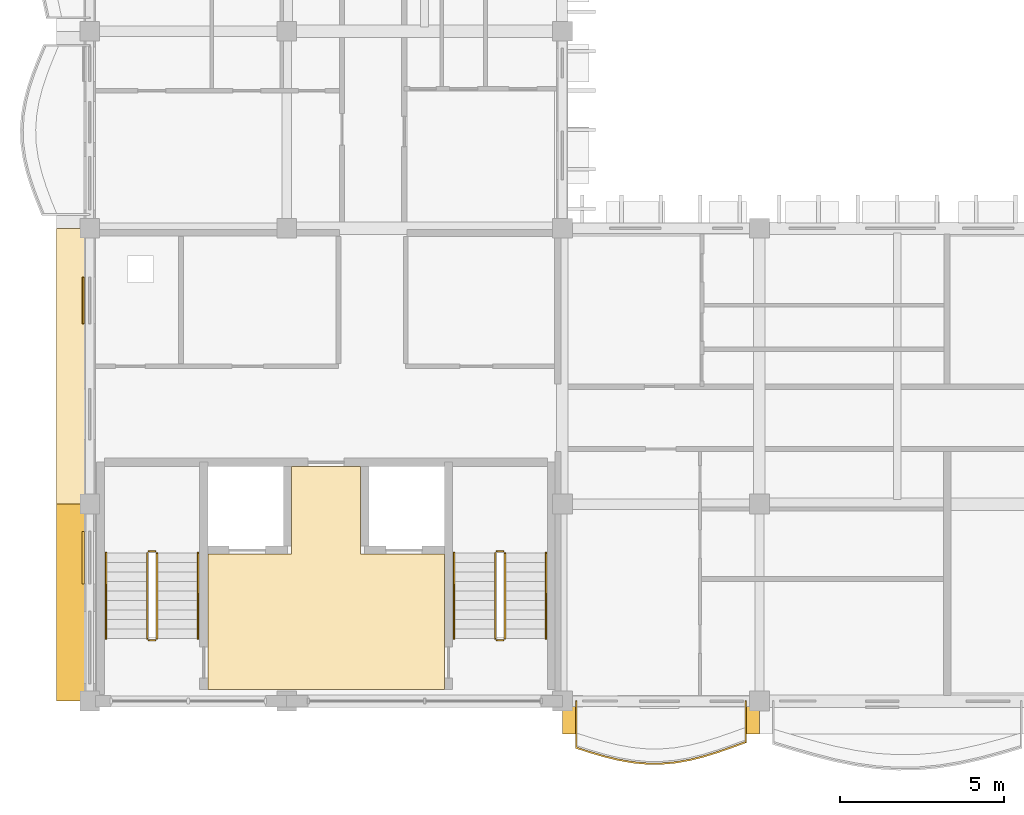
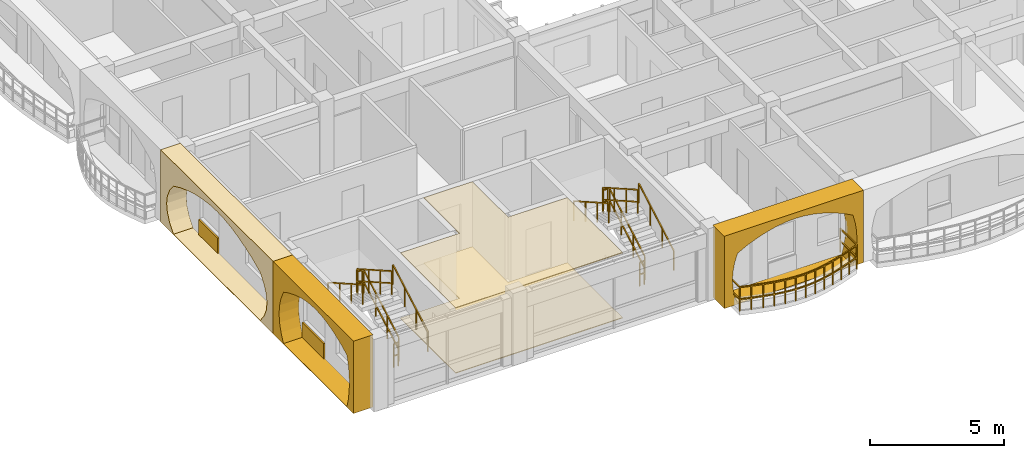
# One storey, part 68 of 101: 13 railings, 7 coverings.
"""IFC4 building model written with IfcOpenShell, lengths in metres."""

from ifc_helpers import new_model, si_unit, direction, frame, origin, origin_2d, place, context, subcontext, project, spatial, polyline, rectangle, outline, extrude, material, layer, layer_set, type_object, element, save


model = new_model("IFC4")

# Units and contexts
model_context = context("Model", 3, precision=1e-05, world=origin(), true_north=direction((0.0, 1.0)))
body_context = subcontext(model_context, "Body", "Model", "MODEL_VIEW")
ifc_project = project(units=[si_unit("LENGTHUNIT", "METRE"), si_unit("AREAUNIT", "SQUARE_METRE"), si_unit("VOLUMEUNIT", "CUBIC_METRE"), si_unit("PLANEANGLEUNIT", "RADIAN"), si_unit("MASSUNIT", "GRAM", prefix="KILO"), si_unit("THERMODYNAMICTEMPERATUREUNIT", "KELVIN")], contexts=[model_context])

# Site, building, storey
site_placement = place(None, origin())
site = spatial("IfcSite", under=ifc_project, at=site_placement, CompositionType="ELEMENT")
building_placement = place(site_placement, origin())
building = spatial("IfcBuilding", under=site, at=building_placement, Name="Thalorik Housing Commons", CompositionType="ELEMENT")
storey_placement = place(building_placement, frame((0.0, 0.0, 8.10009765625)))
storey = spatial("IfcBuildingStorey", under=building, at=storey_placement, Name="L02", CompositionType="ELEMENT", Elevation=8.10009765625)

# Coverings
ifc_material_1 = material(Name="Cobalt blue glazed ceramic facade tile panel", Category="masonry")
ifc_layer_1 = layer(ifc_material_1, 0.06005859375, Name="Cobalt blue glazed ceramic facade tile panel", Category="masonry")
ifc_layer_set_1 = layer_set([ifc_layer_1], Name="Cobalt blue glazed ceramic facade tile panel")
covering_type_1 = type_object("IfcCoveringType", Name="ARC-CLD-BLU-60", PredefinedType="CLADDING", material=ifc_layer_set_1)
covering_1_placement = place(storey_placement, frame((8.205078125, 20.60498046875, 0.0498046875), z_axis=(0.0, 0.0, 1.0), x_axis=(0.0, -1.0, 0.0)))
element("IfcCovering", 1, at=covering_1_placement, inside=storey, type_object=covering_type_1, Name="L02 De Stijl Recessed Window Spandrel 3600", PredefinedType="CLADDING", context=body_context, shape_type="SweptSolid", body=[
    extrude(rectangle(XDim=1.419921875, YDim=0.06005859375, at=origin_2d()), origin(), (0.0, 0.0, 1.0), 0.699951171875),
])
ifc_material_2 = material(Name="Precast concrete C40/50", Category="concrete")
ifc_layer_2 = layer(ifc_material_2, 0.85009765625, Name="Precast concrete C40/50", Category="concrete")
ifc_layer_set_2 = layer_set([ifc_layer_2], Name="Precast concrete C40/50")
covering_type_2 = type_object("IfcCoveringType", Name="ARC-CLD-CUSH-850", PredefinedType="CLADDING", material=ifc_layer_set_2)
covering_2_placement = place(storey_placement, frame((7.81494140625, 18.60009765625, 0.0), z_axis=(0.0, 0.0, 1.0), x_axis=(0.0, -1.0, 0.0)))
element("IfcCovering", 2, at=covering_2_placement, inside=storey, type_object=covering_type_2, Name="L02 White Precast Curved Cushion Bay Frame 3599", PredefinedType="CLADDING", context=body_context, shape_type="SweptSolid", body=[
    extrude(outline(polyline([(-4.199951171875, 0.0), (4.199951171875, 0.0), (4.199951171875, 3.300048828125), (-4.199951171875, 3.300048828125), (-4.199951171875, 0.0)]), holes=[polyline([(3.239990234375, 0.02490234375), (3.523193359375, 0.390869140625), (3.693359375, 0.756591796875), (3.75, 1.12255859375), (3.693359375, 1.48828125), (3.523193359375, 1.854248046875), (3.239990234375, 2.219970703125), (2.699951171875, 2.469482421875), (2.159912109375, 2.66552734375), (1.6201171875, 2.824462890625), (1.080078125, 2.9423828125), (0.5400390625, 3.015380859375), (0.0, 3.0400390625), (-0.5400390625, 3.015380859375), (-1.080078125, 2.9423828125), (-1.6201171875, 2.824462890625), (-2.159912109375, 2.66552734375), (-2.699951171875, 2.469482421875), (-3.239990234375, 2.219970703125), (-3.523193359375, 1.854248046875), (-3.693359375, 1.48828125), (-3.75, 1.12255859375), (-3.693359375, 0.756591796875), (-3.523193359375, 0.390869140625), (-3.239990234375, 0.02490234375), (3.239990234375, 0.02490234375)])]), frame((0.0, 0.425048828125, 0.0), z_axis=(0.0, -1.0, 0.0), x_axis=(1.0, 0.0, 0.0)), (0.0, 0.0, 1.0), 0.85009765625),
])
covering_3_placement = place(storey_placement, frame((7.81494140625, 11.39990234375, 0.0), z_axis=(0.0, 0.0, 1.0), x_axis=(0.0, -1.0, 0.0)))
element("IfcCovering", 3, at=covering_3_placement, inside=storey, type_object=covering_type_2, Name="L02 White Precast Curved Cushion Bay Frame 3601", PredefinedType="CLADDING", context=body_context, shape_type="SweptSolid", body=[
    extrude(outline(polyline([(-3.0, 0.0), (3.0, 0.0), (3.0, 3.300048828125), (-3.0, 3.300048828125), (-3.0, 0.0)]), holes=[polyline([(2.52001953125, 0.02490234375), (2.621337890625, 0.415771484375), (2.68212890625, 0.806640625), (2.702392578125, 1.197509765625), (2.68212890625, 1.58837890625), (2.621337890625, 1.979248046875), (2.52001953125, 2.3701171875), (2.125, 2.573974609375), (1.72998046875, 2.734130859375), (1.3349609375, 2.864013671875), (0.93994140625, 2.960205078125), (0.544921875, 3.02001953125), (0.14990234375, 3.0400390625), (-0.2451171875, 3.02001953125), (-0.639892578125, 2.960205078125), (-1.034912109375, 2.864013671875), (-1.429931640625, 2.734130859375), (-1.824951171875, 2.573974609375), (-2.219970703125, 2.3701171875), (-2.4033203125, 1.979248046875), (-2.51318359375, 1.58837890625), (-2.550048828125, 1.197509765625), (-2.51318359375, 0.806640625), (-2.4033203125, 0.415771484375), (-2.219970703125, 0.02490234375), (2.52001953125, 0.02490234375)])]), frame((0.0, 0.425048828125, 0.0), z_axis=(0.0, -1.0, 0.0), x_axis=(1.0, 0.0, 0.0)), (0.0, 0.0, 1.0), 0.85009765625),
])
covering_4_placement = place(storey_placement, frame((25.800048828125, 7.81494140625, 0.0), z_axis=(0.0, 0.0, 1.0), x_axis=(1.0, 0.0, 0.0)))
element("IfcCovering", 4, at=covering_4_placement, inside=storey, type_object=covering_type_2, Name="L02 White Precast Curved Cushion Bay Frame 3603", PredefinedType="CLADDING", context=body_context, shape_type="SweptSolid", body=[
    extrude(outline(polyline([(-3.0, 0.0), (3.0, 0.0), (3.0, 3.300048828125), (-3.0, 3.300048828125), (-3.0, 0.0)]), holes=[polyline([(2.550048828125, 0.02490234375), (2.64501953125, 0.407470703125), (2.701904296875, 0.7900390625), (2.720947265625, 1.172607421875), (2.701904296875, 1.554931640625), (2.64501953125, 1.9375), (2.550048828125, 2.320068359375), (2.135009765625, 2.539306640625), (1.719970703125, 2.711181640625), (1.304931640625, 2.8505859375), (0.889892578125, 2.954345703125), (0.47509765625, 3.018310546875), (0.06005859375, 3.0400390625), (-0.35498046875, 3.018310546875), (-0.77001953125, 2.954345703125), (-1.18505859375, 2.8505859375), (-1.60009765625, 2.711181640625), (-2.014892578125, 2.539306640625), (-2.429931640625, 2.320068359375), (-2.55029296875, 1.9375), (-2.62255859375, 1.554931640625), (-2.646484375, 1.172607421875), (-2.62255859375, 0.7900390625), (-2.55029296875, 0.407470703125), (-2.429931640625, 0.02490234375), (2.550048828125, 0.02490234375)])]), frame((0.0, 0.425048828125, 0.0), z_axis=(0.0, -1.0, 0.0), x_axis=(1.0, 0.0, 0.0)), (0.0, 0.0, 1.0), 0.85009765625),
])
ifc_material_3 = material(Name="Mineral ochre architectural terracotta panel", Category="masonry")
ifc_layer_3 = layer(ifc_material_3, 0.06494140625, Name="Mineral ochre architectural terracotta panel", Category="masonry")
ifc_layer_set_3 = layer_set([ifc_layer_3], Name="Mineral ochre architectural terracotta panel")
covering_type_3 = type_object("IfcCoveringType", Name="ARC-CLD-YEL-65", PredefinedType="CLADDING", material=ifc_layer_set_3)
covering_5_placement = place(storey_placement, frame((8.202392578125, 12.77001953125, 0.0498046875), z_axis=(0.0, 0.0, 1.0), x_axis=(0.0, -1.0, 0.0)))
element("IfcCovering", 5, at=covering_5_placement, inside=storey, type_object=covering_type_3, Name="L02 De Stijl Recessed Window Spandrel 3602", PredefinedType="CLADDING", context=body_context, shape_type="SweptSolid", body=[
    extrude(rectangle(XDim=1.60009765625, YDim=0.06494140625, at=origin_2d()), origin(), (0.0, 0.0, 1.0), 0.699951171875),
])
ifc_material_4 = material(Name="Acoustic wood-wool nursery ceiling panel", Category="wood")
ifc_layer_4 = layer(ifc_material_4, 0.035888671875, Name="Acoustic wood-wool nursery ceiling panel", Category="wood")
ifc_layer_set_4 = layer_set([ifc_layer_4], Name="Acoustic wood-wool nursery ceiling panel")
covering_type_4 = type_object("IfcCoveringType", Name="ARC-COV-CEIL-06", PredefinedType="CEILING", material=ifc_layer_set_4)
covering_6_placement = place(storey_placement, frame((0.0, 0.0, 2.9638671875)))
element("IfcCovering", 6, at=covering_6_placement, inside=storey, type_object=covering_type_4, Name="L02 Block C Firefighting Lift Lobby Suspended Ceiling", PredefinedType="CEILING", context=body_context, shape_type="SweptSolid", body=[
    extrude(outline(polyline([(12.0, 12.8798828125), (12.0, 8.75), (19.199951171875, 8.75), (19.199951171875, 12.8798828125), (16.64990234375, 12.880126953125), (16.64990234375, 15.550048828125), (14.550048828125, 15.550048828125), (14.550048828125, 12.8798828125), (12.0, 12.8798828125)])), origin(), (0.0, 0.0, 1.0), 0.0361328125),
])
ifc_material_5 = material(Name="Epoxy-sealed concrete plant and bicycle hub finish", Category="concrete")
ifc_layer_5 = layer(ifc_material_5, 0.031982421875, Name="Epoxy-sealed concrete plant and bicycle hub finish", Category="concrete")
ifc_layer_set_5 = layer_set([ifc_layer_5], Name="Epoxy-sealed concrete plant and bicycle hub finish")
covering_type_5 = type_object("IfcCoveringType", Name="ARC-COV-FLR-06", PredefinedType="FLOORING", material=ifc_layer_set_5)
covering_7_placement = place(storey_placement, origin())
element("IfcCovering", 7, at=covering_7_placement, inside=storey, type_object=covering_type_5, Name="L02 Block C Firefighting Lift Lobby Flooring", PredefinedType="FLOORING", context=body_context, shape_type="SweptSolid", body=[
    extrude(outline(polyline([(12.0, 12.8798828125), (12.0, 8.75), (19.199951171875, 8.75), (19.199951171875, 12.8798828125), (16.64990234375, 12.880126953125), (16.64990234375, 15.550048828125), (14.550048828125, 15.550048828125), (14.550048828125, 12.8798828125), (12.0, 12.8798828125)])), origin(), (0.0, 0.0, 1.0), 0.031982421875),
])

# Railings
ifc_material_6 = material(Name="Steel S355", Category="steel")
railing_type_1 = type_object("IfcRailingType", Name="ARC-RL-BAL-112", PredefinedType="BALUSTRADE", material=ifc_material_6)
railing_1_placement = place(storey_placement, frame((23.219970703125, 8.39990234375, 0.0)))
element("IfcRailing", 8, at=railing_1_placement, inside=storey, type_object=railing_type_1, Name="L02 Cushion Balcony Guardrail 256", PredefinedType="BALUSTRADE", context=body_context, shape_type="SweptSolid", body=[
    extrude(rectangle(XDim=0.050048828125, YDim=0.050048828125, at=origin_2d()), frame((0.0, 0.0, 1.09521484375), z_axis=(0.0, -1.0, 0.0), x_axis=(1.0, 0.0, 0.0)), (0.0, 0.0, 1.0), 1.4228515625),
    extrude(rectangle(XDim=0.050048828125, YDim=0.050048828125, at=origin_2d()), frame((0.0, 0.0, 0.53515625), z_axis=(0.0, -1.0, 0.0), x_axis=(1.0, 0.0, 0.0)), (0.0, 0.0, 1.0), 1.4228515625),
    extrude(rectangle(XDim=0.050048828125, YDim=0.050048828125, at=origin_2d()), frame((0.0, -1.4228515625, 1.09521484375), z_axis=(0.95234876715, -0.305011189479, 0.0), x_axis=(0.305011189479, 0.95234876715, 0.0)), (0.0, 0.0, 1.0), 0.451416015625),
    extrude(rectangle(XDim=0.050048828125, YDim=0.050048828125, at=origin_2d()), frame((0.0, -1.4228515625, 0.53515625), z_axis=(0.95234876715, -0.305011189479, 0.0), x_axis=(0.305011189479, 0.95234876715, 0.0)), (0.0, 0.0, 1.0), 0.451416015625),
    extrude(rectangle(XDim=0.050048828125, YDim=0.050048828125, at=origin_2d()), frame((0.429931640625, -1.560546875, 1.09521484375), z_axis=(0.959841216107, -0.280543828771, 0.0), x_axis=(0.280543828771, 0.959841216107, 0.0)), (0.0, 0.0, 1.0), 0.4482421875),
    extrude(rectangle(XDim=0.050048828125, YDim=0.050048828125, at=origin_2d()), frame((0.429931640625, -1.560546875, 0.53515625), z_axis=(0.959841216107, -0.280543828771, 0.0), x_axis=(0.280543828771, 0.959841216107, 0.0)), (0.0, 0.0, 1.0), 0.4482421875),
    extrude(rectangle(XDim=0.050048828125, YDim=0.050048828125, at=origin_2d()), frame((0.860107421875, -1.686279296875, 1.09521484375), z_axis=(0.97171211012, -0.236168531023, 0.0), x_axis=(0.236168531023, 0.97171211012, 0.0)), (0.0, 0.0, 1.0), 0.4423828125),
    extrude(rectangle(XDim=0.050048828125, YDim=0.050048828125, at=origin_2d()), frame((0.860107421875, -1.686279296875, 0.53515625), z_axis=(0.97171211012, -0.236168531023, 0.0), x_axis=(0.236168531023, 0.97171211012, 0.0)), (0.0, 0.0, 1.0), 0.4423828125),
    extrude(rectangle(XDim=0.050048828125, YDim=0.050048828125, at=origin_2d()), frame((1.2900390625, -1.790771484375, 1.09521484375), z_axis=(0.984952013954, -0.17282803652, 0.0), x_axis=(0.17282803652, 0.984952013954, 0.0)), (0.0, 0.0, 1.0), 0.4365234375),
    extrude(rectangle(XDim=0.050048828125, YDim=0.050048828125, at=origin_2d()), frame((1.2900390625, -1.790771484375, 0.53515625), z_axis=(0.984952013954, -0.17282803652, 0.0), x_axis=(0.17282803652, 0.984952013954, 0.0)), (0.0, 0.0, 1.0), 0.4365234375),
    extrude(rectangle(XDim=0.050048828125, YDim=0.050048828125, at=origin_2d()), frame((1.719970703125, -1.8662109375, 1.09521484375), z_axis=(0.995644066759, -0.09323568162, 0.0), x_axis=(0.09323568162, 0.995644066759, 0.0)), (0.0, 0.0, 1.0), 0.43212890625),
    extrude(rectangle(XDim=0.050048828125, YDim=0.050048828125, at=origin_2d()), frame((1.719970703125, -1.8662109375, 0.53515625), z_axis=(0.995644066759, -0.09323568162, 0.0), x_axis=(0.09323568162, 0.995644066759, 0.0)), (0.0, 0.0, 1.0), 0.43212890625),
    extrude(rectangle(XDim=0.050048828125, YDim=0.050048828125, at=origin_2d()), frame((2.150146484375, -1.906494140625, 1.09521484375), z_axis=(0.99998968131, -0.004542826491, 0.0), x_axis=(0.004542826491, 0.99998968131, 0.0)), (0.0, 0.0, 1.0), 0.429931640625),
    extrude(rectangle(XDim=0.050048828125, YDim=0.050048828125, at=origin_2d()), frame((2.150146484375, -1.906494140625, 0.53515625), z_axis=(0.99998968131, -0.004542826491, 0.0), x_axis=(0.004542826491, 0.99998968131, 0.0)), (0.0, 0.0, 1.0), 0.429931640625),
    extrude(rectangle(XDim=0.050048828125, YDim=0.050048828125, at=origin_2d()), frame((2.580078125, -1.908447265625, 1.09521484375), z_axis=(0.996295581648, 0.085994848615, 0.0), x_axis=(-0.085994848615, 0.996295581648, 0.0)), (0.0, 0.0, 1.0), 0.431640625),
    extrude(rectangle(XDim=0.050048828125, YDim=0.050048828125, at=origin_2d()), frame((2.580078125, -1.908447265625, 0.53515625), z_axis=(0.996295581648, 0.085994848615, 0.0), x_axis=(-0.085994848615, 0.996295581648, 0.0)), (0.0, 0.0, 1.0), 0.431640625),
    extrude(rectangle(XDim=0.050048828125, YDim=0.050048828125, at=origin_2d()), frame((3.010009765625, -1.871337890625, 1.09521484375), z_axis=(0.985330609253, 0.170656351972, 0.0), x_axis=(-0.170656351972, 0.985330609253, 0.0)), (0.0, 0.0, 1.0), 0.436279296875),
    extrude(rectangle(XDim=0.050048828125, YDim=0.050048828125, at=origin_2d()), frame((3.010009765625, -1.871337890625, 0.53515625), z_axis=(0.985330609253, 0.170656351972, 0.0), x_axis=(-0.170656351972, 0.985330609253, 0.0)), (0.0, 0.0, 1.0), 0.436279296875),
    extrude(rectangle(XDim=0.050048828125, YDim=0.050048828125, at=origin_2d()), frame((3.43994140625, -1.796875, 1.09521484375), z_axis=(0.970465619887, 0.241239467372, 0.0), x_axis=(-0.241239467372, 0.970465619887, 0.0)), (0.0, 0.0, 1.0), 0.443359375),
    extrude(rectangle(XDim=0.050048828125, YDim=0.050048828125, at=origin_2d()), frame((3.43994140625, -1.796875, 0.53515625), z_axis=(0.970465619887, 0.241239467372, 0.0), x_axis=(-0.241239467372, 0.970465619887, 0.0)), (0.0, 0.0, 1.0), 0.443359375),
    extrude(rectangle(XDim=0.050048828125, YDim=0.050048828125, at=origin_2d()), frame((3.8701171875, -1.68994140625, 1.09521484375), z_axis=(0.955755536076, 0.294162124108, 0.0), x_axis=(-0.294162124108, 0.955755536076, 0.0)), (0.0, 0.0, 1.0), 0.449951171875),
    extrude(rectangle(XDim=0.050048828125, YDim=0.050048828125, at=origin_2d()), frame((3.8701171875, -1.68994140625, 0.53515625), z_axis=(0.955755536076, 0.294162124108, 0.0), x_axis=(-0.294162124108, 0.955755536076, 0.0)), (0.0, 0.0, 1.0), 0.449951171875),
    extrude(rectangle(XDim=0.050048828125, YDim=0.050048828125, at=origin_2d()), frame((4.300048828125, -1.5576171875, 1.09521484375), z_axis=(0.944583599267, 0.328270961244, 0.0), x_axis=(-0.328270961244, 0.944583599267, 0.0)), (0.0, 0.0, 1.0), 0.455078125),
    extrude(rectangle(XDim=0.050048828125, YDim=0.050048828125, at=origin_2d()), frame((4.300048828125, -1.5576171875, 0.53515625), z_axis=(0.944583599267, 0.328270961244, 0.0), x_axis=(-0.328270961244, 0.944583599267, 0.0)), (0.0, 0.0, 1.0), 0.455078125),
    extrude(rectangle(XDim=0.050048828125, YDim=0.050048828125, at=origin_2d()), frame((4.72998046875, -1.408203125, 1.09521484375), z_axis=(0.940198058988, 0.3406282576, 0.0), x_axis=(-0.3406282576, 0.940198058988, 0.0)), (0.0, 0.0, 1.0), 0.457275390625),
    extrude(rectangle(XDim=0.050048828125, YDim=0.050048828125, at=origin_2d()), frame((4.72998046875, -1.408203125, 0.53515625), z_axis=(0.940198058988, 0.3406282576, 0.0), x_axis=(-0.3406282576, 0.940198058988, 0.0)), (0.0, 0.0, 1.0), 0.457275390625),
    extrude(rectangle(XDim=0.050048828125, YDim=0.050048828125, at=origin_2d()), frame((5.159912109375, -1.25244140625, 1.09521484375), z_axis=(0.0, 1.0, 0.0), x_axis=(-1.0, 0.0, 0.0)), (0.0, 0.0, 1.0), 1.25244140625),
    extrude(rectangle(XDim=0.050048828125, YDim=0.050048828125, at=origin_2d()), frame((5.159912109375, -1.25244140625, 0.53515625), z_axis=(0.0, 1.0, 0.0), x_axis=(-1.0, 0.0, 0.0)), (0.0, 0.0, 1.0), 1.25244140625),
    extrude(rectangle(XDim=0.0419921875, YDim=0.0419921875, at=origin_2d()), origin(), (0.0, 0.0, 1.0), 1.070068359375),
    extrude(rectangle(XDim=0.0419921875, YDim=0.0419921875, at=origin_2d()), frame((0.0, -1.4228515625, 0.0)), (0.0, 0.0, 1.0), 1.070068359375),
    extrude(rectangle(XDim=0.0419921875, YDim=0.0419921875, at=origin_2d()), frame((0.429931640625, -1.560546875, 0.0)), (0.0, 0.0, 1.0), 1.070068359375),
    extrude(rectangle(XDim=0.0419921875, YDim=0.0419921875, at=origin_2d()), frame((0.860107421875, -1.686279296875, 0.0)), (0.0, 0.0, 1.0), 1.070068359375),
    extrude(rectangle(XDim=0.0419921875, YDim=0.0419921875, at=origin_2d()), frame((1.2900390625, -1.790771484375, 0.0)), (0.0, 0.0, 1.0), 1.070068359375),
    extrude(rectangle(XDim=0.0419921875, YDim=0.0419921875, at=origin_2d()), frame((1.719970703125, -1.8662109375, 0.0)), (0.0, 0.0, 1.0), 1.070068359375),
    extrude(rectangle(XDim=0.0419921875, YDim=0.0419921875, at=origin_2d()), frame((2.150146484375, -1.906494140625, 0.0)), (0.0, 0.0, 1.0), 1.070068359375),
    extrude(rectangle(XDim=0.0419921875, YDim=0.0419921875, at=origin_2d()), frame((2.580078125, -1.908447265625, 0.0)), (0.0, 0.0, 1.0), 1.070068359375),
    extrude(rectangle(XDim=0.0419921875, YDim=0.0419921875, at=origin_2d()), frame((3.010009765625, -1.871337890625, 0.0)), (0.0, 0.0, 1.0), 1.070068359375),
    extrude(rectangle(XDim=0.0419921875, YDim=0.0419921875, at=origin_2d()), frame((3.43994140625, -1.796875, 0.0)), (0.0, 0.0, 1.0), 1.070068359375),
    extrude(rectangle(XDim=0.0419921875, YDim=0.0419921875, at=origin_2d()), frame((3.8701171875, -1.68994140625, 0.0)), (0.0, 0.0, 1.0), 1.070068359375),
    extrude(rectangle(XDim=0.0419921875, YDim=0.0419921875, at=origin_2d()), frame((4.300048828125, -1.5576171875, 0.0)), (0.0, 0.0, 1.0), 1.070068359375),
    extrude(rectangle(XDim=0.0419921875, YDim=0.0419921875, at=origin_2d()), frame((4.72998046875, -1.408203125, 0.0)), (0.0, 0.0, 1.0), 1.070068359375),
    extrude(rectangle(XDim=0.0419921875, YDim=0.0419921875, at=origin_2d()), frame((5.159912109375, -1.25244140625, 0.0)), (0.0, 0.0, 1.0), 1.070068359375),
    extrude(rectangle(XDim=0.0419921875, YDim=0.0419921875, at=origin_2d()), frame((5.159912109375, 0.0, 0.0)), (0.0, 0.0, 1.0), 1.070068359375),
])
railing_type_2 = type_object("IfcRailingType", Name="ARC-RL-STR-GRD110", PredefinedType="GUARDRAIL", material=ifc_material_6)
railing_2_placement = place(storey_placement, frame((10.449951171875, 10.300048828125, 0.164794921875)))
element("IfcRailing", 9, at=railing_2_placement, inside=storey, type_object=railing_type_2, Name="L02 ST-C1 stair guard 1", PredefinedType="GUARDRAIL", context=body_context, shape_type="SweptSolid", body=[
    extrude(rectangle(XDim=0.048095703125, YDim=0.048095703125, at=origin_2d()), frame((0.0, 0.0, 1.076171875), z_axis=(0.0, 0.869137319866, 0.494570843475), x_axis=(-1.0, 0.0, 0.0)), (0.0, 0.0, 1.0), 3.0029296875),
    extrude(rectangle(XDim=0.048095703125, YDim=0.048095703125, at=origin_2d()), frame((0.0, 0.0, 0.52587890625), z_axis=(0.0, 0.869137319866, 0.494570843475), x_axis=(-1.0, 0.0, 0.0)), (0.0, 0.0, 1.0), 3.0029296875),
    extrude(rectangle(XDim=0.0419921875, YDim=0.0419921875, at=origin_2d()), origin(), (0.0, 0.0, 1.0), 1.052001953125),
    extrude(rectangle(XDim=0.0419921875, YDim=0.0419921875, at=origin_2d()), frame((0.0, 0.869873046875, 0.4951171875)), (0.0, 0.0, 1.0), 1.052001953125),
    extrude(rectangle(XDim=0.0419921875, YDim=0.0419921875, at=origin_2d()), frame((0.0, 1.739990234375, 0.989990234375)), (0.0, 0.0, 1.0), 1.052001953125),
    extrude(rectangle(XDim=0.0419921875, YDim=0.0419921875, at=origin_2d()), frame((0.0, 2.60986328125, 1.485107421875)), (0.0, 0.0, 1.0), 1.052001953125),
])
railing_3_placement = place(storey_placement, frame((10.39990234375, 12.9599609375, 1.64990234375)))
element("IfcRailing", 10, at=railing_3_placement, inside=storey, type_object=railing_type_2, Name="L02 ST-C1 stair guard 2", PredefinedType="GUARDRAIL", context=body_context, shape_type="SweptSolid", body=[
    extrude(rectangle(XDim=0.048095703125, YDim=0.048095703125, at=origin_2d()), frame((0.0, 0.0, 1.076171875), z_axis=(-1.0, 0.0, 0.0), x_axis=(0.0, -1.0, 0.0)), (0.0, 0.0, 1.0), 0.199951171875),
    extrude(rectangle(XDim=0.048095703125, YDim=0.048095703125, at=origin_2d()), frame((0.0, 0.0, 0.52587890625), z_axis=(-1.0, 0.0, 0.0), x_axis=(0.0, -1.0, 0.0)), (0.0, 0.0, 1.0), 0.199951171875),
    extrude(rectangle(XDim=0.0419921875, YDim=0.0419921875, at=origin_2d()), origin(), (0.0, 0.0, 1.0), 1.052001953125),
    extrude(rectangle(XDim=0.0419921875, YDim=0.0419921875, at=origin_2d()), frame((-0.199951171875, 0.0, 0.0)), (0.0, 0.0, 1.0), 1.052001953125),
])
railing_4_placement = place(storey_placement, frame((10.14990234375, 12.909912109375, 1.81494140625)))
element("IfcRailing", 11, at=railing_4_placement, inside=storey, type_object=railing_type_2, Name="L02 ST-C1 stair guard 3", PredefinedType="GUARDRAIL", context=body_context, shape_type="SweptSolid", body=[
    extrude(rectangle(XDim=0.048095703125, YDim=0.048095703125, at=origin_2d()), frame((0.0, 0.0, 1.076171875), z_axis=(0.0, -0.869172267526, 0.494509422927), x_axis=(1.0, 0.0, 0.0)), (0.0, 0.0, 1.0), 3.002685546875),
    extrude(rectangle(XDim=0.048095703125, YDim=0.048095703125, at=origin_2d()), frame((0.0, 0.0, 0.52587890625), z_axis=(0.0, -0.869172267526, 0.494509422927), x_axis=(1.0, 0.0, 0.0)), (0.0, 0.0, 1.0), 3.002685546875),
    extrude(rectangle(XDim=0.0419921875, YDim=0.0419921875, at=origin_2d()), origin(), (0.0, 0.0, 1.0), 1.052001953125),
    extrude(rectangle(XDim=0.0419921875, YDim=0.0419921875, at=origin_2d()), frame((0.0, -0.869873046875, 0.494873046875)), (0.0, 0.0, 1.0), 1.052001953125),
    extrude(rectangle(XDim=0.0419921875, YDim=0.0419921875, at=origin_2d()), frame((0.0, -1.739990234375, 0.989990234375)), (0.0, 0.0, 1.0), 1.052001953125),
    extrude(rectangle(XDim=0.0419921875, YDim=0.0419921875, at=origin_2d()), frame((0.0, -2.60986328125, 1.48486328125)), (0.0, 0.0, 1.0), 1.052001953125),
])
railing_5_placement = place(storey_placement, frame((10.39990234375, 10.25, 0.0)))
element("IfcRailing", 12, at=railing_5_placement, inside=storey, type_object=railing_type_2, Name="L02 ST-C1 stair guard 4", PredefinedType="GUARDRAIL", context=body_context, shape_type="SweptSolid", body=[
    extrude(rectangle(XDim=0.048095703125, YDim=0.048095703125, at=origin_2d()), frame((0.0, 0.0, 1.076171875), z_axis=(-1.0, 0.0, 0.0), x_axis=(0.0, -1.0, 0.0)), (0.0, 0.0, 1.0), 0.199951171875),
    extrude(rectangle(XDim=0.048095703125, YDim=0.048095703125, at=origin_2d()), frame((0.0, 0.0, 0.52587890625), z_axis=(-1.0, 0.0, 0.0), x_axis=(0.0, -1.0, 0.0)), (0.0, 0.0, 1.0), 0.199951171875),
    extrude(rectangle(XDim=0.0419921875, YDim=0.0419921875, at=origin_2d()), origin(), (0.0, 0.0, 1.0), 1.052001953125),
    extrude(rectangle(XDim=0.0419921875, YDim=0.0419921875, at=origin_2d()), frame((-0.199951171875, 0.0, 0.0)), (0.0, 0.0, 1.0), 1.052001953125),
])
railing_6_placement = place(storey_placement, frame((21.050048828125, 10.300048828125, 0.164794921875)))
element("IfcRailing", 13, at=railing_6_placement, inside=storey, type_object=railing_type_2, Name="L02 ST-C2 stair guard 1", PredefinedType="GUARDRAIL", context=body_context, shape_type="SweptSolid", body=[
    extrude(rectangle(XDim=0.048095703125, YDim=0.048095703125, at=origin_2d()), frame((0.0, 0.0, 1.076171875), z_axis=(0.0, 0.869137319866, 0.494570843475), x_axis=(-1.0, 0.0, 0.0)), (0.0, 0.0, 1.0), 3.0029296875),
    extrude(rectangle(XDim=0.048095703125, YDim=0.048095703125, at=origin_2d()), frame((0.0, 0.0, 0.52587890625), z_axis=(0.0, 0.869137319866, 0.494570843475), x_axis=(-1.0, 0.0, 0.0)), (0.0, 0.0, 1.0), 3.0029296875),
    extrude(rectangle(XDim=0.0419921875, YDim=0.0419921875, at=origin_2d()), origin(), (0.0, 0.0, 1.0), 1.052001953125),
    extrude(rectangle(XDim=0.0419921875, YDim=0.0419921875, at=origin_2d()), frame((0.0, 0.869873046875, 0.4951171875)), (0.0, 0.0, 1.0), 1.052001953125),
    extrude(rectangle(XDim=0.0419921875, YDim=0.0419921875, at=origin_2d()), frame((0.0, 1.739990234375, 0.989990234375)), (0.0, 0.0, 1.0), 1.052001953125),
    extrude(rectangle(XDim=0.0419921875, YDim=0.0419921875, at=origin_2d()), frame((0.0, 2.60986328125, 1.485107421875)), (0.0, 0.0, 1.0), 1.052001953125),
])
railing_7_placement = place(storey_placement, frame((21.0, 12.9599609375, 1.64990234375)))
element("IfcRailing", 14, at=railing_7_placement, inside=storey, type_object=railing_type_2, Name="L02 ST-C2 stair guard 2", PredefinedType="GUARDRAIL", context=body_context, shape_type="SweptSolid", body=[
    extrude(rectangle(XDim=0.048095703125, YDim=0.048095703125, at=origin_2d()), frame((0.0, 0.0, 1.076171875), z_axis=(-1.0, 0.0, 0.0), x_axis=(0.0, -1.0, 0.0)), (0.0, 0.0, 1.0), 0.199951171875),
    extrude(rectangle(XDim=0.048095703125, YDim=0.048095703125, at=origin_2d()), frame((0.0, 0.0, 0.52587890625), z_axis=(-1.0, 0.0, 0.0), x_axis=(0.0, -1.0, 0.0)), (0.0, 0.0, 1.0), 0.199951171875),
    extrude(rectangle(XDim=0.0419921875, YDim=0.0419921875, at=origin_2d()), origin(), (0.0, 0.0, 1.0), 1.052001953125),
    extrude(rectangle(XDim=0.0419921875, YDim=0.0419921875, at=origin_2d()), frame((-0.199951171875, 0.0, 0.0)), (0.0, 0.0, 1.0), 1.052001953125),
])
railing_8_placement = place(storey_placement, frame((20.75, 12.909912109375, 1.81494140625)))
element("IfcRailing", 15, at=railing_8_placement, inside=storey, type_object=railing_type_2, Name="L02 ST-C2 stair guard 3", PredefinedType="GUARDRAIL", context=body_context, shape_type="SweptSolid", body=[
    extrude(rectangle(XDim=0.048095703125, YDim=0.048095703125, at=origin_2d()), frame((0.0, 0.0, 1.076171875), z_axis=(0.0, -0.869172267526, 0.494509422927), x_axis=(1.0, 0.0, 0.0)), (0.0, 0.0, 1.0), 3.002685546875),
    extrude(rectangle(XDim=0.048095703125, YDim=0.048095703125, at=origin_2d()), frame((0.0, 0.0, 0.52587890625), z_axis=(0.0, -0.869172267526, 0.494509422927), x_axis=(1.0, 0.0, 0.0)), (0.0, 0.0, 1.0), 3.002685546875),
    extrude(rectangle(XDim=0.0419921875, YDim=0.0419921875, at=origin_2d()), origin(), (0.0, 0.0, 1.0), 1.052001953125),
    extrude(rectangle(XDim=0.0419921875, YDim=0.0419921875, at=origin_2d()), frame((0.0, -0.869873046875, 0.494873046875)), (0.0, 0.0, 1.0), 1.052001953125),
    extrude(rectangle(XDim=0.0419921875, YDim=0.0419921875, at=origin_2d()), frame((0.0, -1.739990234375, 0.989990234375)), (0.0, 0.0, 1.0), 1.052001953125),
    extrude(rectangle(XDim=0.0419921875, YDim=0.0419921875, at=origin_2d()), frame((0.0, -2.60986328125, 1.48486328125)), (0.0, 0.0, 1.0), 1.052001953125),
])
railing_9_placement = place(storey_placement, frame((21.0, 10.25, 0.0)))
element("IfcRailing", 16, at=railing_9_placement, inside=storey, type_object=railing_type_2, Name="L02 ST-C2 stair guard 4", PredefinedType="GUARDRAIL", context=body_context, shape_type="SweptSolid", body=[
    extrude(rectangle(XDim=0.048095703125, YDim=0.048095703125, at=origin_2d()), frame((0.0, 0.0, 1.076171875), z_axis=(-1.0, 0.0, 0.0), x_axis=(0.0, -1.0, 0.0)), (0.0, 0.0, 1.0), 0.199951171875),
    extrude(rectangle(XDim=0.048095703125, YDim=0.048095703125, at=origin_2d()), frame((0.0, 0.0, 0.52587890625), z_axis=(-1.0, 0.0, 0.0), x_axis=(0.0, -1.0, 0.0)), (0.0, 0.0, 1.0), 0.199951171875),
    extrude(rectangle(XDim=0.0419921875, YDim=0.0419921875, at=origin_2d()), origin(), (0.0, 0.0, 1.0), 1.052001953125),
    extrude(rectangle(XDim=0.0419921875, YDim=0.0419921875, at=origin_2d()), frame((-0.199951171875, 0.0, 0.0)), (0.0, 0.0, 1.0), 1.052001953125),
])
railing_type_3 = type_object("IfcRailingType", Name="ARC-RL-STR-HR092", PredefinedType="HANDRAIL", material=ifc_material_6)
railing_10_placement = place(storey_placement, frame((11.699951171875, 10.300048828125, 0.164794921875)))
element("IfcRailing", 17, at=railing_10_placement, inside=storey, type_object=railing_type_3, Name="L02 ST-C1 stair handrail 1", PredefinedType="HANDRAIL", context=body_context, shape_type="SweptSolid", body=[
    extrude(rectangle(XDim=0.048095703125, YDim=0.048095703125, at=origin_2d()), frame((0.0, 0.0, 0.89599609375), z_axis=(0.0, 0.869137319866, 0.494570843475), x_axis=(-1.0, 0.0, 0.0)), (0.0, 0.0, 1.0), 3.0029296875),
    extrude(rectangle(XDim=0.0419921875, YDim=0.0419921875, at=origin_2d()), origin(), (0.0, 0.0, 1.0), 0.871826171875),
    extrude(rectangle(XDim=0.0419921875, YDim=0.0419921875, at=origin_2d()), frame((0.0, 0.869873046875, 0.4951171875)), (0.0, 0.0, 1.0), 0.871826171875),
    extrude(rectangle(XDim=0.0419921875, YDim=0.0419921875, at=origin_2d()), frame((0.0, 1.739990234375, 0.989990234375)), (0.0, 0.0, 1.0), 0.871826171875),
    extrude(rectangle(XDim=0.0419921875, YDim=0.0419921875, at=origin_2d()), frame((0.0, 2.60986328125, 1.485107421875)), (0.0, 0.0, 1.0), 0.871826171875),
])
railing_11_placement = place(storey_placement, frame((8.89990234375, 12.909912109375, 1.81494140625)))
element("IfcRailing", 18, at=railing_11_placement, inside=storey, type_object=railing_type_3, Name="L02 ST-C1 stair handrail 2", PredefinedType="HANDRAIL", context=body_context, shape_type="SweptSolid", body=[
    extrude(rectangle(XDim=0.048095703125, YDim=0.048095703125, at=origin_2d()), frame((0.0, 0.0, 0.89599609375), z_axis=(0.0, -0.869172267526, 0.494509422927), x_axis=(1.0, 0.0, 0.0)), (0.0, 0.0, 1.0), 3.002685546875),
    extrude(rectangle(XDim=0.0419921875, YDim=0.0419921875, at=origin_2d()), origin(), (0.0, 0.0, 1.0), 0.871826171875),
    extrude(rectangle(XDim=0.0419921875, YDim=0.0419921875, at=origin_2d()), frame((0.0, -0.869873046875, 0.494873046875)), (0.0, 0.0, 1.0), 0.871826171875),
    extrude(rectangle(XDim=0.0419921875, YDim=0.0419921875, at=origin_2d()), frame((0.0, -1.739990234375, 0.989990234375)), (0.0, 0.0, 1.0), 0.871826171875),
    extrude(rectangle(XDim=0.0419921875, YDim=0.0419921875, at=origin_2d()), frame((0.0, -2.60986328125, 1.48486328125)), (0.0, 0.0, 1.0), 0.871826171875),
])
railing_12_placement = place(storey_placement, frame((22.300048828125, 10.300048828125, 0.164794921875)))
element("IfcRailing", 19, at=railing_12_placement, inside=storey, type_object=railing_type_3, Name="L02 ST-C2 stair handrail 1", PredefinedType="HANDRAIL", context=body_context, shape_type="SweptSolid", body=[
    extrude(rectangle(XDim=0.048095703125, YDim=0.048095703125, at=origin_2d()), frame((0.0, 0.0, 0.89599609375), z_axis=(0.0, 0.869137319866, 0.494570843475), x_axis=(-1.0, 0.0, 0.0)), (0.0, 0.0, 1.0), 3.0029296875),
    extrude(rectangle(XDim=0.0419921875, YDim=0.0419921875, at=origin_2d()), origin(), (0.0, 0.0, 1.0), 0.871826171875),
    extrude(rectangle(XDim=0.0419921875, YDim=0.0419921875, at=origin_2d()), frame((0.0, 0.869873046875, 0.4951171875)), (0.0, 0.0, 1.0), 0.871826171875),
    extrude(rectangle(XDim=0.0419921875, YDim=0.0419921875, at=origin_2d()), frame((0.0, 1.739990234375, 0.989990234375)), (0.0, 0.0, 1.0), 0.871826171875),
    extrude(rectangle(XDim=0.0419921875, YDim=0.0419921875, at=origin_2d()), frame((0.0, 2.60986328125, 1.485107421875)), (0.0, 0.0, 1.0), 0.871826171875),
])
railing_13_placement = place(storey_placement, frame((19.5, 12.909912109375, 1.81494140625)))
element("IfcRailing", 20, at=railing_13_placement, inside=storey, type_object=railing_type_3, Name="L02 ST-C2 stair handrail 2", PredefinedType="HANDRAIL", context=body_context, shape_type="SweptSolid", body=[
    extrude(rectangle(XDim=0.048095703125, YDim=0.048095703125, at=origin_2d()), frame((0.0, 0.0, 0.89599609375), z_axis=(0.0, -0.869172267526, 0.494509422927), x_axis=(1.0, 0.0, 0.0)), (0.0, 0.0, 1.0), 3.002685546875),
    extrude(rectangle(XDim=0.0419921875, YDim=0.0419921875, at=origin_2d()), origin(), (0.0, 0.0, 1.0), 0.871826171875),
    extrude(rectangle(XDim=0.0419921875, YDim=0.0419921875, at=origin_2d()), frame((0.0, -0.869873046875, 0.494873046875)), (0.0, 0.0, 1.0), 0.871826171875),
    extrude(rectangle(XDim=0.0419921875, YDim=0.0419921875, at=origin_2d()), frame((0.0, -1.739990234375, 0.989990234375)), (0.0, 0.0, 1.0), 0.871826171875),
    extrude(rectangle(XDim=0.0419921875, YDim=0.0419921875, at=origin_2d()), frame((0.0, -2.60986328125, 1.48486328125)), (0.0, 0.0, 1.0), 0.871826171875),
])

save(model, "model.ifc")
